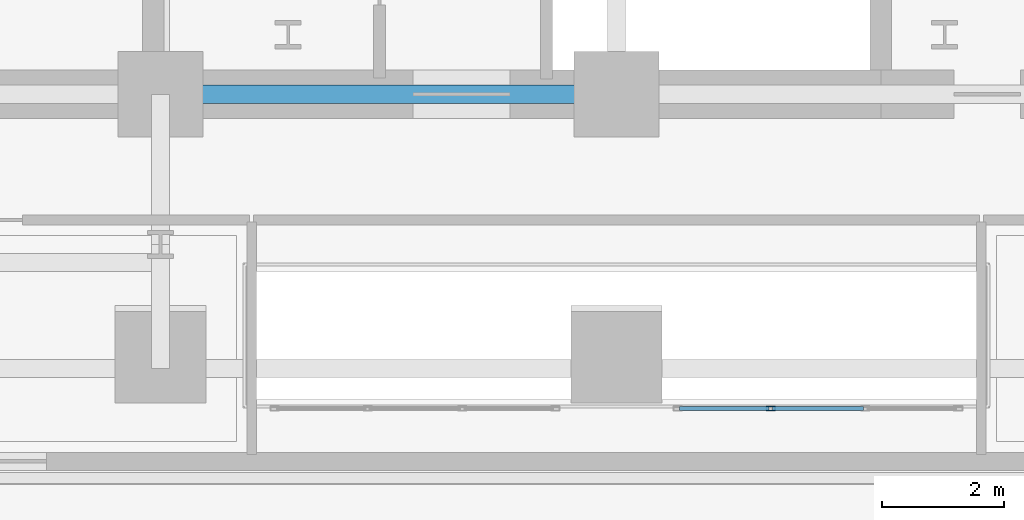
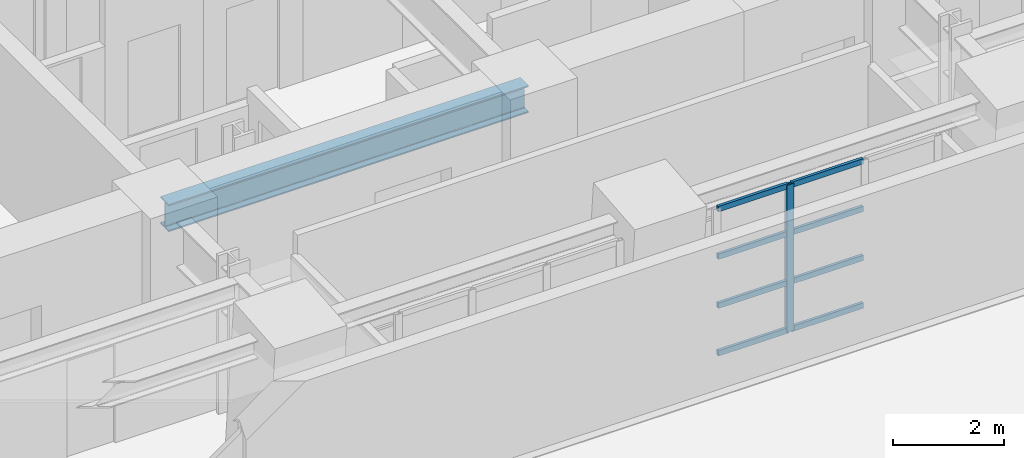
# One storey, part 3 of 15: 9 members, 1 beam, 1 element without a shape of its own.
"""IFC4 building model written with IfcOpenShell, lengths in metres."""

import ifcopenshell
import ifcopenshell.guid

model = None  # the IFC model being written
_history = None  # IfcOwnerHistory: only IFC2X3 demands one
_inside = {}  # id of a spatial element -> (the spatial element, [elements in it])
_under = {}  # id of a project, library or spatial element -> (it, [spatial elements below it])
_declared = {}  # id of a project -> (the project, [libraries it declares])
_typed = {}  # id of a type object -> (the type object, [elements of that type])
_made_of = {}  # id of a material, layer set ... -> (it, [elements and type objects made of it])


def new_model(schema):
    """Start an empty IFC model of exactly this schema.

    Asked for "IFC4X3", IfcOpenShell would pick the latest addendum, in which some entities
    have other attributes; the version numbers below select the first issue.
    IFC2X3 requires an IfcOwnerHistory on every rooted entity: one is made here for all.
    """
    global model, _history
    if schema == "IFC4X3":
        model = ifcopenshell.file(schema_version=(4, 3, 0, 0))
    else:
        model = ifcopenshell.file(schema=schema)
    _inside.clear()
    _under.clear()
    _declared.clear()
    _typed.clear()
    _made_of.clear()
    _history = None
    if model.schema == "IFC2X3":
        org = make("IfcOrganization", Name="unknown")
        user = make(
            "IfcPersonAndOrganization",
            ThePerson=make("IfcPerson", FamilyName="unknown"),
            TheOrganization=org,
        )
        app = make(
            "IfcApplication",
            ApplicationDeveloper=org,
            Version="unknown",
            ApplicationFullName="unknown",
            ApplicationIdentifier="unknown",
        )
        _history = make(
            "IfcOwnerHistory",
            OwningUser=user,
            OwningApplication=app,
            ChangeAction="ADDED",
            CreationDate=0,
        )
    return model


def make(cls, **values):
    """One entity of the class cls with the attributes given. An attribute that is None is left unset."""
    return model.create_entity(
        cls, **{name: value for name, value in values.items() if value is not None}
    )


def rooted(cls, **values):
    """An entity with a GlobalId (a new one), such as an element, a storey or a relation."""
    return make(cls, GlobalId=ifcopenshell.guid.new(), OwnerHistory=_history, **values)


def si_unit(unit_type, name, prefix=None):
    """IfcSIUnit, for example si_unit("LENGTHUNIT", "METRE", prefix="MILLI")."""
    return make("IfcSIUnit", UnitType=unit_type, Prefix=prefix, Name=name)


def assignment(units):
    """IfcUnitAssignment: the units of a project."""
    return None if units is None else make("IfcUnitAssignment", Units=units)


def point(xyz):
    """IfcCartesianPoint."""
    return None if xyz is None else make("IfcCartesianPoint", Coordinates=xyz)


def direction(xyz):
    """IfcDirection."""
    return None if xyz is None else make("IfcDirection", DirectionRatios=xyz)


def frame(location, z_axis=None, x_axis=None):
    """IfcAxis2Placement3D, a coordinate frame: its origin and axes. An axis left out is left unset."""
    return make(
        "IfcAxis2Placement3D",
        Location=point(location),
        Axis=direction(z_axis),
        RefDirection=direction(x_axis),
    )


def frame_2d(location, x_axis=None):
    """IfcAxis2Placement2D, a coordinate frame in the plane: its origin and x axis."""
    return make(
        "IfcAxis2Placement2D", Location=point(location), RefDirection=direction(x_axis)
    )


def origin():
    """The frame at (0, 0, 0) with its axes left unset."""
    return frame((0.0, 0.0, 0.0))


def origin_2d():
    """The frame at (0, 0) in the plane with its x axis left unset."""
    return frame_2d((0.0, 0.0))


def place(relative_to, where):
    """IfcLocalPlacement: puts the frame where relative to a parent placement (None: the world)."""
    return make(
        "IfcLocalPlacement", PlacementRelTo=relative_to, RelativePlacement=where
    )


def context(
    kind, dimensions, precision=None, world=None, true_north=None, identifier=None
):
    """IfcGeometricRepresentationContext, for example the 3D "Model" context."""
    return make(
        "IfcGeometricRepresentationContext",
        ContextIdentifier=identifier,
        ContextType=kind,
        CoordinateSpaceDimension=dimensions,
        Precision=precision,
        WorldCoordinateSystem=world,
        TrueNorth=true_north,
    )


def subcontext(parent, identifier, kind, view, scale=None):
    """IfcGeometricRepresentationSubContext, for example "Body" below "Model"."""
    return make(
        "IfcGeometricRepresentationSubContext",
        ContextIdentifier=identifier,
        ContextType=kind,
        ParentContext=parent,
        TargetScale=scale,
        TargetView=view,
    )


def project(units=None, contexts=None):
    """IfcProject with its units and contexts."""
    return rooted(
        "IfcProject",
        Name="project",
        RepresentationContexts=contexts,
        UnitsInContext=assignment(units),
    )


def spatial(cls, under=None, at=None, **own):
    """A site, building, storey or space (cls), placed at a placement, below another one or the project."""
    s = rooted(cls, ObjectPlacement=at, **own)
    if under is not None:
        _under.setdefault(under.id(), (under, []))[1].append(s)
    return s


def profile(cls, at=None, kind="AREA", **sizes):
    """A parametric profile (cls). Its sizes go by their IFC names, for example OverallWidth=200.0."""
    return make(cls, ProfileType=kind, Position=at, **sizes)


def hollow_rectangle(**sizes):
    """IfcRectangleHollowProfileDef."""
    return profile("IfcRectangleHollowProfileDef", **sizes)


def i_section(**sizes):
    """IfcIShapeProfileDef."""
    return profile("IfcIShapeProfileDef", **sizes)


def extrude(swept, where, along, depth):
    """IfcExtrudedAreaSolid: the profile swept, set in the frame where, extruded along a direction by depth."""
    return make(
        "IfcExtrudedAreaSolid",
        SweptArea=swept,
        Position=where,
        ExtrudedDirection=direction(along),
        Depth=depth,
    )


def shape(context_of_items, identifier, shape_type, items):
    """IfcShapeRepresentation: the items that make up one representation, for example the "Body"."""
    return make(
        "IfcShapeRepresentation",
        ContextOfItems=context_of_items,
        RepresentationIdentifier=identifier,
        RepresentationType=shape_type,
        Items=items,
    )


def material(Name=None, Category=None):
    """IfcMaterial."""
    return make("IfcMaterial", Name=Name, Category=Category)


def layer(
    of_material, thickness, ventilated=None, Name=None, Category=None, Priority=None
):
    """IfcMaterialLayer: one layer of a wall or slab, of a material (None: an air gap)."""
    return make(
        "IfcMaterialLayer",
        Material=of_material,
        LayerThickness=thickness,
        IsVentilated=ventilated,
        Name=Name,
        Category=Category,
        Priority=Priority,
    )


def layer_set(layers, Name=None):
    """IfcMaterialLayerSet."""
    return make("IfcMaterialLayerSet", MaterialLayers=layers, LayerSetName=Name)


def material_profile(
    of_material, cross_section, Name=None, Category=None, Priority=None
):
    """IfcMaterialProfile: a cross section and its material."""
    return make(
        "IfcMaterialProfile",
        Name=Name,
        Material=of_material,
        Profile=cross_section,
        Priority=Priority,
        Category=Category,
    )


def profile_set(profiles, Name=None, composite=None):
    """IfcMaterialProfileSet."""
    return make(
        "IfcMaterialProfileSet",
        Name=Name,
        MaterialProfiles=profiles,
        CompositeProfile=composite,
    )


def made_of(thing, what):
    """Note that an element or type object is made of a material, layer set ...; save() writes the relation."""
    if what is not None:
        _made_of.setdefault(what.id(), (what, []))[1].append(thing)
    return thing


def type_object(cls, material=None, **own):
    """A type object (cls), such as IfcWallType, which elements share."""
    return made_of(rooted(cls, **own), material)


def element(
    cls,
    number,
    at=None,
    inside=None,
    cuts=None,
    type_object=None,
    material=None,
    context=None,
    identifier="Body",
    shape_type=None,
    held_by="IfcProductDefinitionShape",
    body=None,
    shapes=None,
    **own,
):
    """One element of the class cls, such as IfcWall. Its Tag is "e" and its number.

    at: its placement. inside: the storey or other place that contains it. cuts: it is an
    opening in that element (IfcRelVoidsElement). A single representation is given by context,
    identifier, shape_type and body (its items); several are given by shapes. held_by: the class
    of the entity that holds the representations. save() writes the other relations.
    """
    e = rooted(cls, Tag="e%d" % number, ObjectPlacement=at, **own)
    if body is not None:
        shapes = [shape(context, identifier, shape_type, body)]
    if shapes is not None:
        e.Representation = make(held_by, Representations=shapes)
    if inside is not None:
        _inside.setdefault(inside.id(), (inside, []))[1].append(e)
    if cuts is not None:
        rooted(
            "IfcRelVoidsElement", RelatingBuildingElement=cuts, RelatedOpeningElement=e
        )
    if type_object is not None:
        _typed.setdefault(type_object.id(), (type_object, []))[1].append(e)
    return made_of(e, material)


def aggregate(whole, parts):
    """IfcRelAggregates: a whole, such as a stair, and the parts it consists of."""
    return rooted("IfcRelAggregates", RelatingObject=whole, RelatedObjects=parts)


def save(model, path):
    """Write the relations noted so far, then the file.

    IfcRelAggregates (storeys below a building ...), IfcRelContainedInSpatialStructure (elements
    in a storey), IfcRelDefinesByType, IfcRelAssociatesMaterial and IfcRelDeclares: one each for
    every whole, place, type object, material and project.
    """
    for whole, parts in _under.values():
        aggregate(whole, parts)
    for where, things in _inside.values():
        rooted(
            "IfcRelContainedInSpatialStructure",
            RelatedElements=things,
            RelatingStructure=where,
        )
    for kind, things in _typed.values():
        rooted("IfcRelDefinesByType", RelatedObjects=things, RelatingType=kind)
    for what, things in _made_of.values():
        rooted("IfcRelAssociatesMaterial", RelatedObjects=things, RelatingMaterial=what)
    for by, libraries in _declared.values():
        rooted("IfcRelDeclares", RelatingContext=by, RelatedDefinitions=libraries)
    model.write(path)


model = new_model("IFC4")

# Units and contexts
model_context = context("Model", 3, precision=1e-05, world=origin(), true_north=direction((0.0, 1.0)))
body_context = subcontext(model_context, "Body", "Model", "MODEL_VIEW")
ifc_project = project(units=[si_unit("LENGTHUNIT", "METRE"), si_unit("AREAUNIT", "SQUARE_METRE"), si_unit("VOLUMEUNIT", "CUBIC_METRE"), si_unit("PLANEANGLEUNIT", "RADIAN"), si_unit("MASSUNIT", "GRAM", prefix="KILO")], contexts=[model_context])

# Site, building, storey
site_placement = place(None, origin())
site = spatial("IfcSite", under=ifc_project, at=site_placement, CompositionType="ELEMENT")
building_placement = place(site_placement, origin())
building = spatial("IfcBuilding", under=site, at=building_placement, Name="Zarnavel Station Tower", CompositionType="ELEMENT")
storey_placement = place(building_placement, frame((0.0, 0.0, 29.0)))
storey = spatial("IfcBuildingStorey", under=building, at=storey_placement, Name="L07", CompositionType="ELEMENT", Elevation=29.0)

# Curtain wall, members
ifc_material_1 = material(Name="Aluminium Dark Anodised and Solar-Control Glass", Category="aluminium")
ifc_layer = layer(ifc_material_1, 0.179931640625)
ifc_layer_set = layer_set([ifc_layer], Name="CWS2")
curtain_wall_type = type_object("IfcCurtainWallType", Name="CWS2", PredefinedType="NOTDEFINED", material=ifc_layer_set)
curtain_wall_placement = place(storey_placement, origin())
curtain_wall = element("IfcCurtainWall", 1, at=curtain_wall_placement, inside=storey, type_object=curtain_wall_type, Name="L07 Curtain Wall CWS2-L07-AS-S2", PredefinedType="NOTDEFINED")
ifc_material_2 = material(Name="Steel S355J2 (Black Fluoropolymer Coated)", Category="steel")
ifc_material_profile_1 = material_profile(ifc_material_2, hollow_rectangle(XDim=0.074951171875, YDim=0.14990234375, WallThickness=0.00634765625, at=origin_2d()), Name="RHS150x75x6.3")
ifc_profile_set_1 = profile_set([ifc_material_profile_1], Name="Steel S355J2 (Black Fluoropolymer Coated)")
member_type_1 = type_object("IfcMemberType", Name="CWS2_MUL", PredefinedType="MULLION", material=ifc_profile_set_1)
member_1_placement = place(storey_placement, frame((31.336669921875, 22.64990234375, 0.0), z_axis=(0.0, 0.0, 1.0), x_axis=(0.0, 1.0, 0.0)))
member_1 = element("IfcMember", 2, at=member_1_placement, type_object=member_type_1, Name="CW2 mullion 2", PredefinedType="MULLION", context=body_context, shape_type="SweptSolid", body=[
    extrude(hollow_rectangle(XDim=0.074951171875, YDim=0.14990234375, WallThickness=0.00634765625, at=origin_2d()), origin(), (0.0, 0.0, 1.0), 3.239990234375),
])
ifc_material_3 = material(Name="Steel S355J2 (Black Fluoropolymer Coated)", Category="steel")
ifc_material_profile_2 = material_profile(ifc_material_3, hollow_rectangle(XDim=0.06005859375, YDim=0.1201171875, WallThickness=0.0048828125, at=origin_2d()), Name="RHS120x60x5")
ifc_profile_set_2 = profile_set([ifc_material_profile_2], Name="Steel S355J2 (Black Fluoropolymer Coated)")
member_type_2 = type_object("IfcMemberType", Name="CWS2_TRN", PredefinedType="USERDEFINED", material=ifc_profile_set_2)
member_2_placement = place(storey_placement, frame((29.840087890625, 22.64990234375, 0.030029296875), z_axis=(1.0, 0.0, 0.0), x_axis=(0.0, 1.0, 0.0)))
member_2 = element("IfcMember", 3, at=member_2_placement, type_object=member_type_2, Name="CW2 transom 1.1", ObjectType="TRANSOM", PredefinedType="USERDEFINED", context=body_context, shape_type="SweptSolid", body=[
    extrude(hollow_rectangle(XDim=0.06005859375, YDim=0.1201171875, WallThickness=0.0048828125, at=origin_2d()), origin(), (0.0, 0.0, 1.0), 1.466552734375),
])
member_3_placement = place(storey_placement, frame((29.840087890625, 22.64990234375, 1.080078125), z_axis=(1.0, 0.0, 0.0), x_axis=(0.0, 1.0, 0.0)))
member_3 = element("IfcMember", 4, at=member_3_placement, type_object=member_type_2, Name="CW2 transom 1.2", ObjectType="TRANSOM", PredefinedType="USERDEFINED", context=body_context, shape_type="SweptSolid", body=[
    extrude(hollow_rectangle(XDim=0.06005859375, YDim=0.1201171875, WallThickness=0.0048828125, at=origin_2d()), origin(), (0.0, 0.0, 1.0), 1.466552734375),
])
member_4_placement = place(storey_placement, frame((29.840087890625, 22.64990234375, 2.159912109375), z_axis=(1.0, 0.0, 0.0), x_axis=(0.0, 1.0, 0.0)))
member_4 = element("IfcMember", 5, at=member_4_placement, type_object=member_type_2, Name="CW2 transom 1.3", ObjectType="TRANSOM", PredefinedType="USERDEFINED", context=body_context, shape_type="SweptSolid", body=[
    extrude(hollow_rectangle(XDim=0.06005859375, YDim=0.1201171875, WallThickness=0.0048828125, at=origin_2d()), origin(), (0.0, 0.0, 1.0), 1.466552734375),
])
member_5_placement = place(storey_placement, frame((29.840087890625, 22.64990234375, 3.2099609375), z_axis=(1.0, 0.0, 0.0), x_axis=(0.0, 1.0, 0.0)))
member_5 = element("IfcMember", 6, at=member_5_placement, type_object=member_type_2, Name="CW2 transom 1.4", ObjectType="TRANSOM", PredefinedType="USERDEFINED", context=body_context, shape_type="SweptSolid", body=[
    extrude(hollow_rectangle(XDim=0.06005859375, YDim=0.1201171875, WallThickness=0.0048828125, at=origin_2d()), origin(), (0.0, 0.0, 1.0), 1.466552734375),
])
member_6_placement = place(storey_placement, frame((31.36669921875, 22.64990234375, 0.030029296875), z_axis=(1.0, 0.0, 0.0), x_axis=(0.0, 1.0, 0.0)))
member_6 = element("IfcMember", 7, at=member_6_placement, type_object=member_type_2, Name="CW2 transom 2.1", ObjectType="TRANSOM", PredefinedType="USERDEFINED", context=body_context, shape_type="SweptSolid", body=[
    extrude(hollow_rectangle(XDim=0.06005859375, YDim=0.1201171875, WallThickness=0.0048828125, at=origin_2d()), origin(), (0.0, 0.0, 1.0), 1.49658203125),
])
member_7_placement = place(storey_placement, frame((31.36669921875, 22.64990234375, 1.080078125), z_axis=(1.0, 0.0, 0.0), x_axis=(0.0, 1.0, 0.0)))
member_7 = element("IfcMember", 8, at=member_7_placement, type_object=member_type_2, Name="CW2 transom 2.2", ObjectType="TRANSOM", PredefinedType="USERDEFINED", context=body_context, shape_type="SweptSolid", body=[
    extrude(hollow_rectangle(XDim=0.06005859375, YDim=0.1201171875, WallThickness=0.0048828125, at=origin_2d()), origin(), (0.0, 0.0, 1.0), 1.49658203125),
])
member_8_placement = place(storey_placement, frame((31.36669921875, 22.64990234375, 2.159912109375), z_axis=(1.0, 0.0, 0.0), x_axis=(0.0, 1.0, 0.0)))
member_8 = element("IfcMember", 9, at=member_8_placement, type_object=member_type_2, Name="CW2 transom 2.3", ObjectType="TRANSOM", PredefinedType="USERDEFINED", context=body_context, shape_type="SweptSolid", body=[
    extrude(hollow_rectangle(XDim=0.06005859375, YDim=0.1201171875, WallThickness=0.0048828125, at=origin_2d()), origin(), (0.0, 0.0, 1.0), 1.49658203125),
])
member_9_placement = place(storey_placement, frame((31.36669921875, 22.64990234375, 3.2099609375), z_axis=(1.0, 0.0, 0.0), x_axis=(0.0, 1.0, 0.0)))
member_9 = element("IfcMember", 10, at=member_9_placement, type_object=member_type_2, Name="CW2 transom 2.4", ObjectType="TRANSOM", PredefinedType="USERDEFINED", context=body_context, shape_type="SweptSolid", body=[
    extrude(hollow_rectangle(XDim=0.06005859375, YDim=0.1201171875, WallThickness=0.0048828125, at=origin_2d()), origin(), (0.0, 0.0, 1.0), 1.49658203125),
])
aggregate(curtain_wall, [member_1, member_2, member_3, member_4, member_5, member_6, member_7, member_8, member_9])

# Beam
ifc_material_4 = material(Name="Steel S355J2", Category="steel")
ifc_material_profile_3 = material_profile(ifc_material_4, i_section(OverallWidth=0.300048828125, OverallDepth=0.60009765625, WebThickness=0.015380859375, FlangeThickness=0.030029296875, FilletRadius=0.027099609375, at=origin_2d()), Name="HEB600")
ifc_profile_set_3 = profile_set([ifc_material_profile_3], Name="Steel S355J2")
beam_type = type_object("IfcBeamType", Name="FG_HEB600", PredefinedType="USERDEFINED", material=ifc_profile_set_3)
beam_placement = place(storey_placement, frame((21.300048828125, 27.820068359375, 2.93994140625), z_axis=(1.0, 0.0, 0.0), x_axis=(0.0, 1.0, 0.0)))
element("IfcBeam", 11, at=beam_placement, inside=storey, type_object=beam_type, Name="L07 Core Front Coupling Beam 2", ObjectType="GIRDER", PredefinedType="USERDEFINED", context=body_context, shape_type="SweptSolid", body=[
    extrude(i_section(OverallWidth=0.300048828125, OverallDepth=0.60009765625, WebThickness=0.015380859375, FlangeThickness=0.030029296875, FilletRadius=0.027099609375, at=origin_2d()), origin(), (0.0, 0.0, 1.0), 7.5),
])

save(model, "model.ifc")
